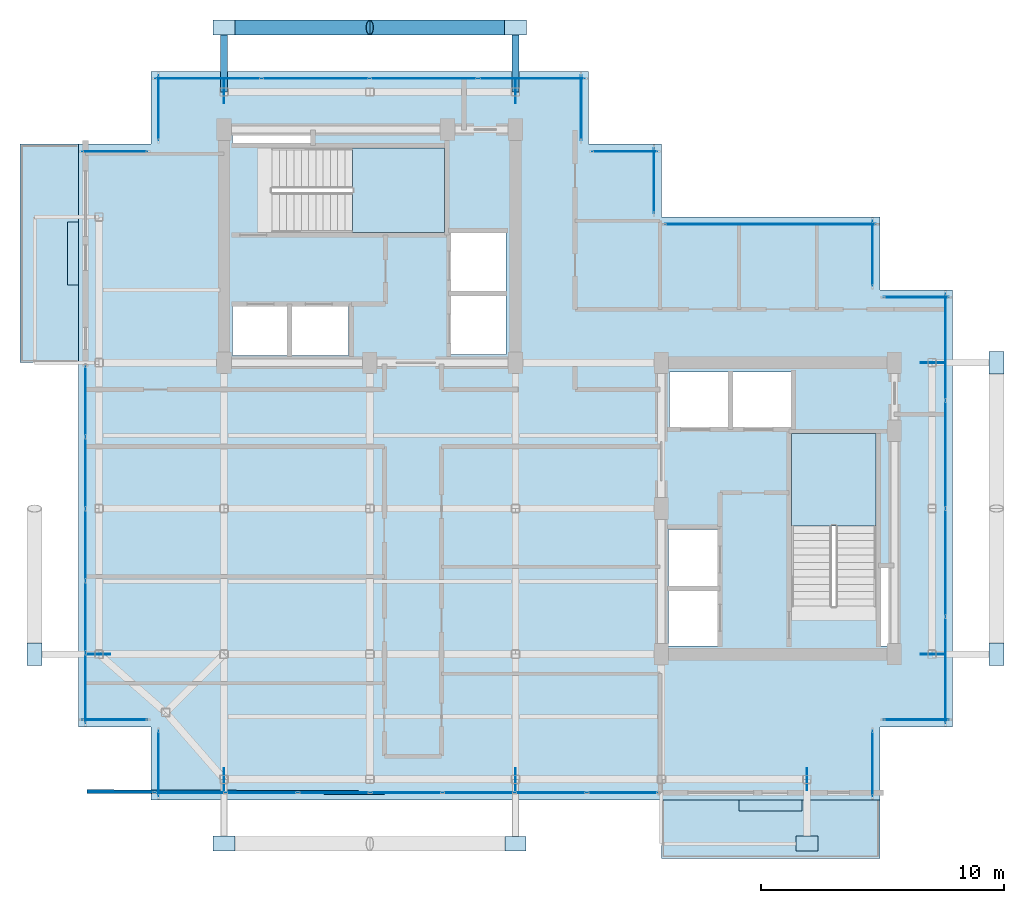
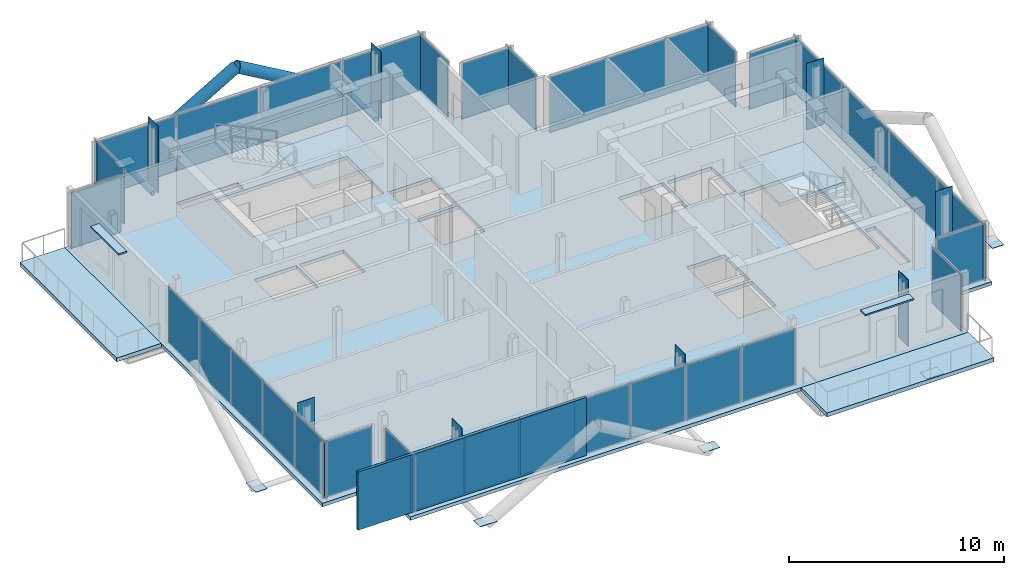
# One storey, part 14 of 19: 50 plates, 5 slabs, 4 members, 1 wall, 18 elements without a shape of their own.
"""IFC4 building model written with IfcOpenShell, lengths in metres."""

from ifc_helpers import new_model, si_unit, direction, frame, frame_2d, origin, origin_2d, place, context, subcontext, project, spatial, polyline, rectangle, hollow_circle, outline, extrude, material, layer, layer_set, material_profile, profile_set, type_object, element, aggregate, save


model = new_model("IFC4")

# Units and contexts
model_context = context("Model", 3, precision=1e-05, world=origin(), true_north=direction((0.0, 1.0)))
body_context = subcontext(model_context, "Body", "Model", "MODEL_VIEW")
ifc_project = project(units=[si_unit("LENGTHUNIT", "METRE"), si_unit("AREAUNIT", "SQUARE_METRE"), si_unit("VOLUMEUNIT", "CUBIC_METRE"), si_unit("PLANEANGLEUNIT", "RADIAN"), si_unit("MASSUNIT", "GRAM", prefix="KILO"), si_unit("THERMODYNAMICTEMPERATUREUNIT", "KELVIN"), si_unit("POWERUNIT", "WATT")], contexts=[model_context])

# Site, building, storey
site_placement = place(None, origin())
site = spatial("IfcSite", under=ifc_project, at=site_placement, CompositionType="ELEMENT")
building_placement = place(site_placement, origin())
building = spatial("IfcBuilding", under=site, at=building_placement, Name="Svarakhadi Broadcast Tower", CompositionType="ELEMENT")
storey_placement = place(building_placement, frame((0.0, 0.0, 271.199951171875)))
storey = spatial("IfcBuildingStorey", under=building, at=storey_placement, Name="L68", CompositionType="ELEMENT", Elevation=271.199951171875)

# Members
ifc_material_1 = material(Name="Steel S460ML (IS 2062 E450BR)", Category="steel")
ifc_material_profile_1 = material_profile(ifc_material_1, hollow_circle(Radius=0.304931640625, WallThickness=0.030029296875, at=origin_2d()), Name="CHS 610x30")
ifc_profile_set_1 = profile_set([ifc_material_profile_1], Name="Steel S460ML (IS 2062 E450BR)")
member_type_1 = type_object("IfcMemberType", Name="Exo_Brace_CHS610", PredefinedType="BRACE", material=ifc_profile_set_1)
for number, where, z_axis, x_axis, name in (
    (1, (6.0, 31.800048828125, -0.33642578125), (0.863778900898, 0.0, 0.503871025524), (0.0, 1.0, 0.0), "L68 Exposed Bronze Exoskeleton Diagonal N06"),
    (2, (18.0, 31.800048828125, -0.33642578125), (-0.863778900898, 0.0, 0.503871025524), (0.0, -1.0, 0.0), "L68 Exposed Bronze Exoskeleton Diagonal N07"),
):
    element("IfcMember", number, at=place(storey_placement, frame(where, z_axis=z_axis, x_axis=x_axis)), inside=storey, type_object=member_type_1, Name=name, PredefinedType="BRACE", context=body_context, shape_type="SweptSolid", body=[
        extrude(hollow_circle(Radius=0.304931640625, WallThickness=0.030029296875, at=origin_2d()), origin(), (0.0, 0.0, 1.0), 6.9462890625),
    ])
ifc_material_profile_2 = material_profile(ifc_material_1, hollow_circle(Radius=0.136474609375, WallThickness=0.012451171875, at=origin_2d()), Name="CHS 273x12.5")
ifc_profile_set_2 = profile_set([ifc_material_profile_2], Name="Steel S460ML (IS 2062 E450BR)")
member_type_2 = type_object("IfcMemberType", Name="Exo_Radial_Strut_Z3", PredefinedType="STRUT", material=ifc_profile_set_2)
for number, where, z_axis, x_axis, name in (
    (3, (6.0, 31.800048828125, -0.33642578125), (0.0, -1.0, 0.0), (1.0, 0.0, 0.0), "L68 Exoskeleton Radial Tie Strut N07"),
    (4, (18.0, 31.800048828125, -0.33642578125), (0.0, -1.0, 0.0), (1.0, 0.0, 0.0), "L68 Exoskeleton Radial Tie Strut N08"),
):
    element("IfcMember", number, at=place(storey_placement, frame(where, z_axis=z_axis, x_axis=x_axis)), inside=storey, type_object=member_type_2, Name=name, PredefinedType="STRUT", context=body_context, shape_type="SweptSolid", body=[
        extrude(hollow_circle(Radius=0.136474609375, WallThickness=0.012451171875, at=origin_2d()), origin(), (0.0, 0.0, 1.0), 2.650146484375),
    ])

# Curtain wall, plate
ifc_material_2 = material(Name="Anodised Bronze Aluminium AA 6063-T6", Category="aluminium")
ifc_layer_1 = layer(ifc_material_2, 0.179931640625)
ifc_layer_set_1 = layer_set([ifc_layer_1], Name="Anodised Bronze Aluminium AA 6063-T6")
curtain_wall_type = type_object("IfcCurtainWallType", Name="CW_Sys_05", PredefinedType="NOTDEFINED", material=ifc_layer_set_1)
curtain_wall_1_placement = place(storey_placement, origin())
curtain_wall_1 = element("IfcCurtainWall", 5, at=curtain_wall_1_placement, inside=storey, type_object=curtain_wall_type, Name="L68 Unitised Facade Curtain Wall 01", PredefinedType="NOTDEFINED")
ifc_material_3 = material(Name="Double Low-E Laminated Acoustic Glass IGU 36 mm", Category="glass")
ifc_layer_2 = layer(ifc_material_3, 0.033935546875)
ifc_layer_set_2 = layer_set([ifc_layer_2], Name="Double Low-E Laminated Acoustic Glass IGU 36 mm")
plate_type_1 = type_object("IfcPlateType", Name="CW_Sys_05_Pnl", PredefinedType="CURTAIN_PANEL", material=ifc_layer_set_2)
plate_1_placement = place(storey_placement, frame((1.5, 3.300048828125, 0.065185546875), z_axis=(0.0, 0.0, 1.0), x_axis=(-1.0, 0.0, 0.0)))
plate_1 = element("IfcPlate", 6, at=plate_1_placement, type_object=plate_type_1, Name="CW-05 panel 1.1", PredefinedType="CURTAIN_PANEL", context=body_context, shape_type="SweptSolid", body=[
    extrude(rectangle(XDim=2.679931640625, YDim=0.033935546875, at=origin_2d()), origin(), (0.0, 0.0, 1.0), 3.169921875),
])
aggregate(curtain_wall_1, [plate_1])

# Curtain wall, plates
curtain_wall_2_placement = place(storey_placement, origin())
curtain_wall_2 = element("IfcCurtainWall", 7, at=curtain_wall_2_placement, inside=storey, type_object=curtain_wall_type, Name="L68 West Curtain Wall 02", PredefinedType="NOTDEFINED")
plate_2_placement = place(storey_placement, frame((0.300048828125, 4.589599609375, 0.065185546875), z_axis=(0.0, 0.0, 1.0), x_axis=(0.0, 1.0, 0.0)))
plate_2 = element("IfcPlate", 8, at=plate_2_placement, type_object=plate_type_1, Name="CW-05 panel 1.1", PredefinedType="CURTAIN_PANEL", context=body_context, shape_type="SweptSolid", body=[
    extrude(rectangle(XDim=2.85888671875, YDim=0.033935546875, at=origin_2d()), origin(), (0.0, 0.0, 1.0), 3.169921875),
])
plate_3_placement = place(storey_placement, frame((0.300048828125, 7.535888671875, 0.065185546875), z_axis=(0.0, 0.0, 1.0), x_axis=(0.0, 1.0, 0.0)))
plate_3 = element("IfcPlate", 9, at=plate_3_placement, type_object=plate_type_1, Name="CW-05 panel 2.1", PredefinedType="CURTAIN_PANEL", context=body_context, shape_type="SweptSolid", body=[
    extrude(rectangle(XDim=2.89404296875, YDim=0.033935546875, at=origin_2d()), origin(), (0.0, 0.0, 1.0), 3.169921875),
])
plate_4_placement = place(storey_placement, frame((0.300048828125, 10.5, 0.065185546875), z_axis=(0.0, 0.0, 1.0), x_axis=(0.0, 1.0, 0.0)))
plate_4 = element("IfcPlate", 10, at=plate_4_placement, type_object=plate_type_1, Name="CW-05 panel 3.1", PredefinedType="CURTAIN_PANEL", context=body_context, shape_type="SweptSolid", body=[
    extrude(rectangle(XDim=2.89404296875, YDim=0.033935546875, at=origin_2d()), origin(), (0.0, 0.0, 1.0), 3.169921875),
])
plate_5_placement = place(storey_placement, frame((0.300048828125, 13.464111328125, 0.065185546875), z_axis=(0.0, 0.0, 1.0), x_axis=(0.0, 1.0, 0.0)))
plate_5 = element("IfcPlate", 11, at=plate_5_placement, type_object=plate_type_1, Name="CW-05 panel 4.1", PredefinedType="CURTAIN_PANEL", context=body_context, shape_type="SweptSolid", body=[
    extrude(rectangle(XDim=2.89404296875, YDim=0.033935546875, at=origin_2d()), origin(), (0.0, 0.0, 1.0), 3.169921875),
])
plate_6_placement = place(storey_placement, frame((0.300048828125, 16.410400390625, 0.065185546875), z_axis=(0.0, 0.0, 1.0), x_axis=(0.0, 1.0, 0.0)))
plate_6 = element("IfcPlate", 12, at=plate_6_placement, type_object=plate_type_1, Name="CW-05 panel 5.1", PredefinedType="CURTAIN_PANEL", context=body_context, shape_type="SweptSolid", body=[
    extrude(rectangle(XDim=2.85888671875, YDim=0.033935546875, at=origin_2d()), origin(), (0.0, 0.0, 1.0), 3.169921875),
])
aggregate(curtain_wall_2, [plate_2, plate_3, plate_4, plate_5, plate_6])

# Curtain wall, plate
curtain_wall_3_placement = place(storey_placement, origin())
curtain_wall_3 = element("IfcCurtainWall", 13, at=curtain_wall_3_placement, inside=storey, type_object=curtain_wall_type, Name="L68 Unitised Facade Curtain Wall 03", PredefinedType="NOTDEFINED")
plate_7_placement = place(storey_placement, frame((1.5, 26.699951171875, 0.065185546875), z_axis=(0.0, 0.0, 1.0), x_axis=(1.0, 0.0, 0.0)))
plate_7 = element("IfcPlate", 14, at=plate_7_placement, type_object=plate_type_1, Name="CW-05 panel 1.1", PredefinedType="CURTAIN_PANEL", context=body_context, shape_type="SweptSolid", body=[
    extrude(rectangle(XDim=2.679931640625, YDim=0.033935546875, at=origin_2d()), origin(), (0.0, 0.0, 1.0), 3.169921875),
])
aggregate(curtain_wall_3, [plate_7])

curtain_wall_4_placement = place(storey_placement, origin())
curtain_wall_4 = element("IfcCurtainWall", 15, at=curtain_wall_4_placement, inside=storey, type_object=curtain_wall_type, Name="L68 Unitised Facade Curtain Wall 04", PredefinedType="NOTDEFINED")
plate_8_placement = place(storey_placement, frame((3.300048828125, 28.5, 0.065185546875), z_axis=(0.0, 0.0, 1.0), x_axis=(0.0, 1.0, 0.0)))
plate_8 = element("IfcPlate", 16, at=plate_8_placement, type_object=plate_type_1, Name="CW-05 panel 1.1", PredefinedType="CURTAIN_PANEL", context=body_context, shape_type="SweptSolid", body=[
    extrude(rectangle(XDim=2.679931640625, YDim=0.033935546875, at=origin_2d()), origin(), (0.0, 0.0, 1.0), 3.169921875),
])
aggregate(curtain_wall_4, [plate_8])

# Curtain wall, plates
curtain_wall_5_placement = place(storey_placement, origin())
curtain_wall_5 = element("IfcCurtainWall", 17, at=curtain_wall_5_placement, inside=storey, type_object=curtain_wall_type, Name="L68 Unitised Facade Curtain Wall 05", PredefinedType="NOTDEFINED")
plate_9_placement = place(storey_placement, frame((5.3349609375, 29.699951171875, 0.065185546875), z_axis=(0.0, 0.0, 1.0), x_axis=(1.0, 0.0, 0.0)))
plate_9 = element("IfcPlate", 18, at=plate_9_placement, type_object=plate_type_1, Name="CW-05 panel 1.1", PredefinedType="CURTAIN_PANEL", context=body_context, shape_type="SweptSolid", body=[
    extrude(rectangle(XDim=4.35009765625, YDim=0.033935546875, at=origin_2d()), origin(), (0.0, 0.0, 1.0), 3.169921875),
])
plate_10_placement = place(storey_placement, frame((9.7724609375, 29.699951171875, 0.065185546875), z_axis=(0.0, 0.0, 1.0), x_axis=(1.0, 0.0, 0.0)))
plate_10 = element("IfcPlate", 19, at=plate_10_placement, type_object=plate_type_1, Name="CW-05 panel 2.1", PredefinedType="CURTAIN_PANEL", context=body_context, shape_type="SweptSolid", body=[
    extrude(rectangle(XDim=4.385009765625, YDim=0.033935546875, at=origin_2d()), origin(), (0.0, 0.0, 1.0), 3.169921875),
])
plate_11_placement = place(storey_placement, frame((14.2275390625, 29.699951171875, 0.065185546875), z_axis=(0.0, 0.0, 1.0), x_axis=(1.0, 0.0, 0.0)))
plate_11 = element("IfcPlate", 20, at=plate_11_placement, type_object=plate_type_1, Name="CW-05 panel 3.1", PredefinedType="CURTAIN_PANEL", context=body_context, shape_type="SweptSolid", body=[
    extrude(rectangle(XDim=4.385009765625, YDim=0.033935546875, at=origin_2d()), origin(), (0.0, 0.0, 1.0), 3.169921875),
])
plate_12_placement = place(storey_placement, frame((18.6650390625, 29.699951171875, 0.065185546875), z_axis=(0.0, 0.0, 1.0), x_axis=(1.0, 0.0, 0.0)))
plate_12 = element("IfcPlate", 21, at=plate_12_placement, type_object=plate_type_1, Name="CW-05 panel 4.1", PredefinedType="CURTAIN_PANEL", context=body_context, shape_type="SweptSolid", body=[
    extrude(rectangle(XDim=4.35009765625, YDim=0.033935546875, at=origin_2d()), origin(), (0.0, 0.0, 1.0), 3.169921875),
])
aggregate(curtain_wall_5, [plate_9, plate_10, plate_11, plate_12])

# Curtain wall, plate
curtain_wall_6_placement = place(storey_placement, origin())
curtain_wall_6 = element("IfcCurtainWall", 22, at=curtain_wall_6_placement, inside=storey, type_object=curtain_wall_type, Name="L68 Unitised Facade Curtain Wall 06", PredefinedType="NOTDEFINED")
plate_13_placement = place(storey_placement, frame((20.699951171875, 28.5, 0.065185546875), z_axis=(0.0, 0.0, 1.0), x_axis=(0.0, -1.0, 0.0)))
plate_13 = element("IfcPlate", 23, at=plate_13_placement, type_object=plate_type_1, Name="CW-05 panel 1.1", PredefinedType="CURTAIN_PANEL", context=body_context, shape_type="SweptSolid", body=[
    extrude(rectangle(XDim=2.679931640625, YDim=0.033935546875, at=origin_2d()), origin(), (0.0, 0.0, 1.0), 3.169921875),
])
aggregate(curtain_wall_6, [plate_13])

curtain_wall_7_placement = place(storey_placement, origin())
curtain_wall_7 = element("IfcCurtainWall", 24, at=curtain_wall_7_placement, inside=storey, type_object=curtain_wall_type, Name="L68 Unitised Facade Curtain Wall 07", PredefinedType="NOTDEFINED")
plate_14_placement = place(storey_placement, frame((22.5, 26.699951171875, 0.065185546875), z_axis=(0.0, 0.0, 1.0), x_axis=(1.0, 0.0, 0.0)))
plate_14 = element("IfcPlate", 25, at=plate_14_placement, type_object=plate_type_1, Name="CW-05 panel 1.1", PredefinedType="CURTAIN_PANEL", context=body_context, shape_type="SweptSolid", body=[
    extrude(rectangle(XDim=2.679931640625, YDim=0.033935546875, at=origin_2d()), origin(), (0.0, 0.0, 1.0), 3.169921875),
])
aggregate(curtain_wall_7, [plate_14])

curtain_wall_8_placement = place(storey_placement, origin())
curtain_wall_8 = element("IfcCurtainWall", 26, at=curtain_wall_8_placement, inside=storey, type_object=curtain_wall_type, Name="L68 Unitised Facade Curtain Wall 08", PredefinedType="NOTDEFINED")
plate_15_placement = place(storey_placement, frame((23.699951171875, 25.5, 0.065185546875), z_axis=(0.0, 0.0, 1.0), x_axis=(0.0, -1.0, 0.0)))
plate_15 = element("IfcPlate", 27, at=plate_15_placement, type_object=plate_type_1, Name="CW-05 panel 1.1", PredefinedType="CURTAIN_PANEL", context=body_context, shape_type="SweptSolid", body=[
    extrude(rectangle(XDim=2.679931640625, YDim=0.033935546875, at=origin_2d()), origin(), (0.0, 0.0, 1.0), 3.169921875),
])
aggregate(curtain_wall_8, [plate_15])

curtain_wall_9_placement = place(storey_placement, origin())
curtain_wall_9 = element("IfcCurtainWall", 28, at=curtain_wall_9_placement, inside=storey, type_object=curtain_wall_type, Name="L68 Unitised Facade Curtain Wall 09", PredefinedType="NOTDEFINED")
plate_16_placement = place(storey_placement, frame((28.5, 23.699951171875, 0.065185546875), z_axis=(0.0, 0.0, 1.0), x_axis=(1.0, 0.0, 0.0)))
plate_16 = element("IfcPlate", 29, at=plate_16_placement, type_object=plate_type_1, Name="CW-05 panel 1.1", PredefinedType="CURTAIN_PANEL", context=body_context, shape_type="SweptSolid", body=[
    extrude(rectangle(XDim=8.679931640625, YDim=0.033935546875, at=origin_2d()), origin(), (0.0, 0.0, 1.0), 3.169921875),
])
aggregate(curtain_wall_9, [plate_16])

curtain_wall_10_placement = place(storey_placement, origin())
curtain_wall_10 = element("IfcCurtainWall", 30, at=curtain_wall_10_placement, inside=storey, type_object=curtain_wall_type, Name="L68 Unitised Facade Curtain Wall 10", PredefinedType="NOTDEFINED")
plate_17_placement = place(storey_placement, frame((32.699951171875, 22.5, 0.065185546875), z_axis=(0.0, 0.0, 1.0), x_axis=(0.0, -1.0, 0.0)))
plate_17 = element("IfcPlate", 31, at=plate_17_placement, type_object=plate_type_1, Name="CW-05 panel 1.1", PredefinedType="CURTAIN_PANEL", context=body_context, shape_type="SweptSolid", body=[
    extrude(rectangle(XDim=2.679931640625, YDim=0.033935546875, at=origin_2d()), origin(), (0.0, 0.0, 1.0), 3.169921875),
])
aggregate(curtain_wall_10, [plate_17])

curtain_wall_11_placement = place(storey_placement, origin())
curtain_wall_11 = element("IfcCurtainWall", 32, at=curtain_wall_11_placement, inside=storey, type_object=curtain_wall_type, Name="L68 Unitised Facade Curtain Wall 11", PredefinedType="NOTDEFINED")
plate_18_placement = place(storey_placement, frame((34.5, 20.699951171875, 0.065185546875), z_axis=(0.0, 0.0, 1.0), x_axis=(1.0, 0.0, 0.0)))
plate_18 = element("IfcPlate", 33, at=plate_18_placement, type_object=plate_type_1, Name="CW-05 panel 1.1", PredefinedType="CURTAIN_PANEL", context=body_context, shape_type="SweptSolid", body=[
    extrude(rectangle(XDim=2.679931640625, YDim=0.033935546875, at=origin_2d()), origin(), (0.0, 0.0, 1.0), 3.169921875),
])
aggregate(curtain_wall_11, [plate_18])

# Curtain wall, plates
curtain_wall_12_placement = place(storey_placement, origin())
curtain_wall_12 = element("IfcCurtainWall", 34, at=curtain_wall_12_placement, inside=storey, type_object=curtain_wall_type, Name="L68 Unitised Facade Curtain Wall 12", PredefinedType="NOTDEFINED")
plate_19_placement = place(storey_placement, frame((35.699951171875, 18.6650390625, 0.065185546875), z_axis=(0.0, 0.0, 1.0), x_axis=(0.0, -1.0, 0.0)))
plate_19 = element("IfcPlate", 35, at=plate_19_placement, type_object=plate_type_1, Name="CW-05 panel 1.1", PredefinedType="CURTAIN_PANEL", context=body_context, shape_type="SweptSolid", body=[
    extrude(rectangle(XDim=4.35009765625, YDim=0.033935546875, at=origin_2d()), origin(), (0.0, 0.0, 1.0), 3.169921875),
])
plate_20_placement = place(storey_placement, frame((35.699951171875, 14.2275390625, 0.065185546875), z_axis=(0.0, 0.0, 1.0), x_axis=(0.0, -1.0, 0.0)))
plate_20 = element("IfcPlate", 36, at=plate_20_placement, type_object=plate_type_1, Name="CW-05 panel 2.1", PredefinedType="CURTAIN_PANEL", context=body_context, shape_type="SweptSolid", body=[
    extrude(rectangle(XDim=4.385009765625, YDim=0.033935546875, at=origin_2d()), origin(), (0.0, 0.0, 1.0), 3.169921875),
])
plate_21_placement = place(storey_placement, frame((35.699951171875, 9.7724609375, 0.065185546875), z_axis=(0.0, 0.0, 1.0), x_axis=(0.0, -1.0, 0.0)))
plate_21 = element("IfcPlate", 37, at=plate_21_placement, type_object=plate_type_1, Name="CW-05 panel 3.1", PredefinedType="CURTAIN_PANEL", context=body_context, shape_type="SweptSolid", body=[
    extrude(rectangle(XDim=4.385009765625, YDim=0.033935546875, at=origin_2d()), origin(), (0.0, 0.0, 1.0), 3.169921875),
])
plate_22_placement = place(storey_placement, frame((35.699951171875, 5.3349609375, 0.065185546875), z_axis=(0.0, 0.0, 1.0), x_axis=(0.0, -1.0, 0.0)))
plate_22 = element("IfcPlate", 38, at=plate_22_placement, type_object=plate_type_1, Name="CW-05 panel 4.1", PredefinedType="CURTAIN_PANEL", context=body_context, shape_type="SweptSolid", body=[
    extrude(rectangle(XDim=4.35009765625, YDim=0.033935546875, at=origin_2d()), origin(), (0.0, 0.0, 1.0), 3.169921875),
])
aggregate(curtain_wall_12, [plate_19, plate_20, plate_21, plate_22])

# Curtain wall, plate
curtain_wall_13_placement = place(storey_placement, origin())
curtain_wall_13 = element("IfcCurtainWall", 39, at=curtain_wall_13_placement, inside=storey, type_object=curtain_wall_type, Name="L68 Unitised Facade Curtain Wall 13", PredefinedType="NOTDEFINED")
plate_23_placement = place(storey_placement, frame((34.5, 3.300048828125, 0.065185546875), z_axis=(0.0, 0.0, 1.0), x_axis=(-1.0, 0.0, 0.0)))
plate_23 = element("IfcPlate", 40, at=plate_23_placement, type_object=plate_type_1, Name="CW-05 panel 1.1", PredefinedType="CURTAIN_PANEL", context=body_context, shape_type="SweptSolid", body=[
    extrude(rectangle(XDim=2.679931640625, YDim=0.033935546875, at=origin_2d()), origin(), (0.0, 0.0, 1.0), 3.169921875),
])
aggregate(curtain_wall_13, [plate_23])

curtain_wall_14_placement = place(storey_placement, origin())
curtain_wall_14 = element("IfcCurtainWall", 41, at=curtain_wall_14_placement, inside=storey, type_object=curtain_wall_type, Name="L68 Unitised Facade Curtain Wall 14", PredefinedType="NOTDEFINED")
plate_24_placement = place(storey_placement, frame((32.699951171875, 1.5, 0.065185546875), z_axis=(0.0, 0.0, 1.0), x_axis=(0.0, -1.0, 0.0)))
plate_24 = element("IfcPlate", 42, at=plate_24_placement, type_object=plate_type_1, Name="CW-05 panel 1.1", PredefinedType="CURTAIN_PANEL", context=body_context, shape_type="SweptSolid", body=[
    extrude(rectangle(XDim=2.679931640625, YDim=0.033935546875, at=origin_2d()), origin(), (0.0, 0.0, 1.0), 3.169921875),
])
aggregate(curtain_wall_14, [plate_24])

# Curtain wall, plates
curtain_wall_15_placement = place(storey_placement, origin())
curtain_wall_15 = element("IfcCurtainWall", 43, at=curtain_wall_15_placement, inside=storey, type_object=curtain_wall_type, Name="L68 South Curtain Wall 15", PredefinedType="NOTDEFINED")
plate_25_placement = place(storey_placement, frame((22.4052734375, 0.300048828125, 0.065185546875), z_axis=(0.0, 0.0, 1.0), x_axis=(-1.0, 0.0, 0.0)))
plate_25 = element("IfcPlate", 44, at=plate_25_placement, type_object=plate_type_1, Name="CW-05 panel 1.1", PredefinedType="CURTAIN_PANEL", context=body_context, shape_type="SweptSolid", body=[
    extrude(rectangle(XDim=2.869384765625, YDim=0.033935546875, at=origin_2d()), origin(), (0.0, 0.0, 1.0), 3.169921875),
])
plate_26_placement = place(storey_placement, frame((19.448486328125, 0.300048828125, 0.065185546875), z_axis=(0.0, 0.0, 1.0), x_axis=(-1.0, 0.0, 0.0)))
plate_26 = element("IfcPlate", 45, at=plate_26_placement, type_object=plate_type_1, Name="CW-05 panel 2.1", PredefinedType="CURTAIN_PANEL", context=body_context, shape_type="SweptSolid", body=[
    extrude(rectangle(XDim=2.904296875, YDim=0.033935546875, at=origin_2d()), origin(), (0.0, 0.0, 1.0), 3.169921875),
])
plate_27_placement = place(storey_placement, frame((16.474365234375, 0.300048828125, 0.065185546875), z_axis=(0.0, 0.0, 1.0), x_axis=(-1.0, 0.0, 0.0)))
plate_27 = element("IfcPlate", 46, at=plate_27_placement, type_object=plate_type_1, Name="CW-05 panel 3.1", PredefinedType="CURTAIN_PANEL", context=body_context, shape_type="SweptSolid", body=[
    extrude(rectangle(XDim=2.904296875, YDim=0.033935546875, at=origin_2d()), origin(), (0.0, 0.0, 1.0), 3.169921875),
])
plate_28_placement = place(storey_placement, frame((13.5, 0.300048828125, 0.065185546875), z_axis=(0.0, 0.0, 1.0), x_axis=(-1.0, 0.0, 0.0)))
plate_28 = element("IfcPlate", 47, at=plate_28_placement, type_object=plate_type_1, Name="CW-05 panel 4.1", PredefinedType="CURTAIN_PANEL", context=body_context, shape_type="SweptSolid", body=[
    extrude(rectangle(XDim=2.904296875, YDim=0.033935546875, at=origin_2d()), origin(), (0.0, 0.0, 1.0), 3.169921875),
])
plate_29_placement = place(storey_placement, frame((10.525634765625, 0.300048828125, 0.065185546875), z_axis=(0.0, 0.0, 1.0), x_axis=(-1.0, 0.0, 0.0)))
plate_29 = element("IfcPlate", 48, at=plate_29_placement, type_object=plate_type_1, Name="CW-05 panel 5.1", PredefinedType="CURTAIN_PANEL", context=body_context, shape_type="SweptSolid", body=[
    extrude(rectangle(XDim=2.904296875, YDim=0.033935546875, at=origin_2d()), origin(), (0.0, 0.0, 1.0), 3.169921875),
])
plate_30_placement = place(storey_placement, frame((7.551513671875, 0.300048828125, 0.065185546875), z_axis=(0.0, 0.0, 1.0), x_axis=(-1.0, 0.0, 0.0)))
plate_30 = element("IfcPlate", 49, at=plate_30_placement, type_object=plate_type_1, Name="CW-05 panel 6.1", PredefinedType="CURTAIN_PANEL", context=body_context, shape_type="SweptSolid", body=[
    extrude(rectangle(XDim=2.904296875, YDim=0.033935546875, at=origin_2d()), origin(), (0.0, 0.0, 1.0), 3.169921875),
])
plate_31_placement = place(storey_placement, frame((4.5947265625, 0.300048828125, 0.065185546875), z_axis=(0.0, 0.0, 1.0), x_axis=(-1.0, 0.0, 0.0)))
plate_31 = element("IfcPlate", 50, at=plate_31_placement, type_object=plate_type_1, Name="CW-05 panel 7.1", PredefinedType="CURTAIN_PANEL", context=body_context, shape_type="SweptSolid", body=[
    extrude(rectangle(XDim=2.869384765625, YDim=0.033935546875, at=origin_2d()), origin(), (0.0, 0.0, 1.0), 3.169921875),
])
aggregate(curtain_wall_15, [plate_25, plate_26, plate_27, plate_28, plate_29, plate_30, plate_31])

# Curtain wall, plate
curtain_wall_16_placement = place(storey_placement, origin())
curtain_wall_16 = element("IfcCurtainWall", 51, at=curtain_wall_16_placement, inside=storey, type_object=curtain_wall_type, Name="L68 Unitised Facade Curtain Wall 16", PredefinedType="NOTDEFINED")
plate_32_placement = place(storey_placement, frame((3.300048828125, 1.5, 0.065185546875), z_axis=(0.0, 0.0, 1.0), x_axis=(0.0, 1.0, 0.0)))
plate_32 = element("IfcPlate", 52, at=plate_32_placement, type_object=plate_type_1, Name="CW-05 panel 1.1", PredefinedType="CURTAIN_PANEL", context=body_context, shape_type="SweptSolid", body=[
    extrude(rectangle(XDim=2.679931640625, YDim=0.033935546875, at=origin_2d()), origin(), (0.0, 0.0, 1.0), 3.169921875),
])
aggregate(curtain_wall_16, [plate_32])

# Plates
ifc_layer_3 = layer(ifc_material_1, 0.02490234375)
ifc_layer_set_3 = layer_set([ifc_layer_3], Name="Steel S460ML (IS 2062 E450BR)")
plate_type_2 = type_object("IfcPlateType", Name="Node_Gusset_N05", PredefinedType="SHEET", material=ifc_layer_set_3)
plate_33_placement = place(storey_placement, frame((18.0, -1.800048828125, -0.199951171875), z_axis=(0.0, 0.0, 1.0), x_axis=(1.0, 0.0, 0.0)))
element("IfcPlate", 53, at=plate_33_placement, inside=storey, type_object=plate_type_2, Name="L68 Exoskeleton Gusset Node Plate S02", PredefinedType="SHEET", context=body_context, shape_type="SweptSolid", body=[
    extrude(rectangle(XDim=0.8798828125, YDim=0.60009765625, at=origin_2d()), origin(), (0.0, 0.0, 1.0), 0.02490234375),
])
ifc_layer_4 = layer(ifc_material_1, 0.02587890625)
ifc_layer_set_4 = layer_set([ifc_layer_4], Name="Steel S460ML (IS 2062 E450BR)")
plate_type_3 = type_object("IfcPlateType", Name="Node_Gusset_N07", PredefinedType="SHEET", material=ifc_layer_set_4)
for number, where, z_axis, x_axis, name in (
    (54, (6.0, -1.800048828125, -0.199951171875), (0.0, 0.0, 1.0), (1.0, 0.0, 0.0), "L68 Exoskeleton Gusset Node Plate S01"),
    (55, (30.0, -1.800048828125, -0.199951171875), (0.0, 0.0, 1.0), (1.0, 0.0, 0.0), "L68 Exoskeleton Gusset Node Plate S03"),
    (56, (-1.800048828125, 6.0, -0.199951171875), (0.0, 0.0, 1.0), (0.0, 1.0, 0.0), "L68 Exoskeleton Gusset Node Plate W04"),
    (57, (37.800048828125, 6.0, -0.199951171875), (0.0, 0.0, 1.0), (0.0, 1.0, 0.0), "L68 Exoskeleton Gusset Node Plate E05"),
    (58, (37.800048828125, 18.0, -0.199951171875), (0.0, 0.0, 1.0), (0.0, 1.0, 0.0), "L68 Exoskeleton Gusset Node Plate E06"),
    (59, (6.0, 31.800048828125, -0.199951171875), (0.0, 0.0, 1.0), (1.0, 0.0, 0.0), "L68 Exoskeleton Gusset Node Plate N07"),
    (60, (18.0, 31.800048828125, -0.199951171875), (0.0, 0.0, 1.0), (1.0, 0.0, 0.0), "L68 Exoskeleton Gusset Node Plate N08"),
):
    element("IfcPlate", number, at=place(storey_placement, frame(where, z_axis=z_axis, x_axis=x_axis)), inside=storey, type_object=plate_type_3, Name=name, PredefinedType="SHEET", context=body_context, shape_type="SweptSolid", body=[
        extrude(rectangle(XDim=0.919921875, YDim=0.6201171875, at=origin_2d()), origin(), (0.0, 0.0, 1.0), 0.02587890625),
    ])
for number, where, z_axis, x_axis, name in (
    (61, (6.0, 0.85009765625, -0.53662109375), (0.0, 0.0, 1.0), (0.0, 1.0, 0.0), "L68 Brace End Connection Gusset Plate N-07-E0535"),
    (62, (18.0, 0.85009765625, -0.53662109375), (0.0, 0.0, 1.0), (0.0, 1.0, 0.0), "L68 Brace End Connection Gusset Plate N-07-E0536"),
    (63, (30.0, 0.85009765625, -0.53662109375), (0.0, 0.0, 1.0), (0.0, 1.0, 0.0), "L68 Brace End Connection Gusset Plate N-07-E0537"),
    (64, (0.85009765625, 6.0, -0.53662109375), (0.0, 0.0, 1.0), (1.0, 0.0, 0.0), "L68 Brace End Connection Gusset Plate N-07-E0538"),
    (65, (35.14990234375, 6.0, -0.53662109375), (0.0, 0.0, 1.0), (1.0, 0.0, 0.0), "L68 Brace End Connection Gusset Plate N-07-E0539"),
    (66, (35.14990234375, 18.0, -0.53662109375), (0.0, 0.0, 1.0), (1.0, 0.0, 0.0), "L68 Brace End Connection Gusset Plate N-07-E0540"),
    (67, (6.0, 29.14990234375, -0.53662109375), (0.0, 0.0, 1.0), (0.0, 1.0, 0.0), "L68 Brace End Connection Gusset Plate N-07-E0541"),
    (68, (18.0, 29.14990234375, -0.53662109375), (0.0, 0.0, 1.0), (0.0, 1.0, 0.0), "L68 Brace End Connection Gusset Plate N-07-E0542"),
):
    element("IfcPlate", number, at=place(storey_placement, frame(where, z_axis=z_axis, x_axis=x_axis)), inside=storey, type_object=plate_type_3, Name=name, PredefinedType="SHEET", context=body_context, shape_type="SweptSolid", body=[
        extrude(rectangle(XDim=0.919921875, YDim=0.02587890625, at=origin_2d()), origin(), (0.0, 0.0, 1.0), 4.300048828125),
    ])

# Slab
ifc_material_4 = material(Name="Concrete C40/50 (IS 456 M50)", Category="concrete")
ifc_layer_5 = layer(ifc_material_4, 0.199951171875)
ifc_layer_set_5 = layer_set([ifc_layer_5], Name="Concrete C40/50 (IS 456 M50)")
slab_type_1 = type_object("IfcSlabType", Name="Slab_Floor_200", PredefinedType="FLOOR", material=ifc_layer_set_5)
slab_1_placement = place(storey_placement, frame((0.0, 0.0, -0.199951171875)))
element("IfcSlab", 69, at=slab_1_placement, inside=storey, type_object=slab_type_1, Name="L68 Structural Floor Slab", PredefinedType="FLOOR", context=body_context, shape_type="SweptSolid", body=[
    extrude(outline(polyline([(3.0, 0.0), (33.0, 0.0), (33.0, 3.0), (36.0, 3.0), (36.0, 21.0), (33.0, 21.0), (33.0, 24.0), (24.0, 24.0), (24.0, 27.0), (21.0, 27.0), (21.0, 30.0), (3.0, 30.0), (3.0, 27.0), (0.0, 27.0), (0.0, 3.0), (3.0, 3.0), (3.0, 0.0)]), holes=[polyline([(7.97998046875, 23.360107421875), (15.080078125, 23.360107421875), (15.080078125, 26.840087890625), (7.97998046875, 26.840087890625), (7.97998046875, 23.360107421875)]), polyline([(32.840087890625, 7.97998046875), (32.840087890625, 15.080078125), (29.360107421875, 15.080078125), (29.360107421875, 7.97998046875), (32.840087890625, 7.97998046875)]), polyline([(6.340087890625, 18.2900390625), (8.610107421875, 18.2900390625), (8.610107421875, 20.330078125), (6.340087890625, 20.330078125), (6.340087890625, 18.2900390625)]), polyline([(8.7900390625, 18.2900390625), (11.1298828125, 18.2900390625), (11.1298828125, 20.330078125), (8.7900390625, 20.330078125), (8.7900390625, 18.2900390625)]), polyline([(24.2900390625, 6.340087890625), (26.330078125, 6.340087890625), (26.330078125, 8.610107421875), (24.2900390625, 8.610107421875), (24.2900390625, 6.340087890625)]), polyline([(24.2900390625, 8.7900390625), (26.330078125, 8.7900390625), (26.330078125, 11.1298828125), (24.2900390625, 11.1298828125), (24.2900390625, 8.7900390625)]), polyline([(6.340087890625, 26.989990234375), (9.610107421875, 26.989990234375), (9.610107421875, 27.530029296875), (6.340087890625, 27.530029296875), (6.340087890625, 26.989990234375)]), polyline([(32.989990234375, 6.340087890625), (33.530029296875, 6.340087890625), (33.530029296875, 9.610107421875), (32.989990234375, 9.610107421875), (32.989990234375, 6.340087890625)]), polyline([(15.340087890625, 18.340087890625), (17.610107421875, 18.340087890625), (17.610107421875, 20.760009765625), (15.340087890625, 20.760009765625), (15.340087890625, 18.340087890625)]), polyline([(15.340087890625, 20.93994140625), (17.610107421875, 20.93994140625), (17.610107421875, 23.360107421875), (15.340087890625, 23.360107421875), (15.340087890625, 20.93994140625)]), polyline([(24.340087890625, 15.340087890625), (26.760009765625, 15.340087890625), (26.760009765625, 17.610107421875), (24.340087890625, 17.610107421875), (24.340087890625, 15.340087890625)]), polyline([(26.93994140625, 15.340087890625), (29.360107421875, 15.340087890625), (29.360107421875, 17.610107421875), (26.93994140625, 17.610107421875), (26.93994140625, 15.340087890625)])]), origin(), (0.0, 0.0, 1.0), 0.199951171875),
])

# Stair, slab
stair_type = type_object("IfcStairType", Name="Stair_Exit_Core", PredefinedType="HALF_TURN_STAIR", material=ifc_material_4)
stair_1_placement = place(storey_placement, origin())
stair_1 = element("IfcStair", 70, at=stair_1_placement, inside=storey, type_object=stair_type, Name="L68 West Core Protected Exit Stair ST-01", PredefinedType="HALF_TURN_STAIR")
ifc_layer_6 = layer(ifc_material_4, 0.199951171875)
ifc_layer_set_6 = layer_set([ifc_layer_6], Name="Concrete C40/50 (IS 456 M50)")
slab_type_2 = type_object("IfcSlabType", Name="Slab_Stair_Land", PredefinedType="LANDING", material=ifc_layer_set_6)
slab_2_placement = place(storey_placement, frame((0.0, 0.0, 1.550048828125)))
slab_2 = element("IfcSlab", 71, at=slab_2_placement, type_object=slab_type_2, Name="ST-01 landing 1", PredefinedType="LANDING", context=body_context, shape_type="SweptSolid", body=[
    extrude(outline(polyline([(11.280029296875, 23.360107421875), (15.080078125, 23.360107421875), (15.080078125, 26.840087890625), (11.280029296875, 26.840087890625), (11.280029296875, 23.360107421875)])), origin(), (0.0, 0.0, 1.0), 0.199951171875),
])
aggregate(stair_1, [slab_2])

stair_2_placement = place(storey_placement, origin())
stair_2 = element("IfcStair", 72, at=stair_2_placement, inside=storey, type_object=stair_type, Name="L68 East Core Protected Exit Stair ST-02", PredefinedType="HALF_TURN_STAIR")
slab_3_placement = place(storey_placement, frame((0.0, 0.0, 1.550048828125)))
slab_3 = element("IfcSlab", 73, at=slab_3_placement, type_object=slab_type_2, Name="ST-02 landing 1", PredefinedType="LANDING", context=body_context, shape_type="SweptSolid", body=[
    extrude(outline(polyline([(32.840087890625, 11.280029296875), (32.840087890625, 15.080078125), (29.360107421875, 15.080078125), (29.360107421875, 11.280029296875), (32.840087890625, 11.280029296875)])), origin(), (0.0, 0.0, 1.0), 0.199951171875),
])
aggregate(stair_2, [slab_3])

# Slabs
ifc_layer_7 = layer(ifc_material_4, 0.22509765625)
ifc_layer_set_7 = layer_set([ifc_layer_7], Name="Concrete C40/50 (IS 456 M50)")
slab_type_3 = type_object("IfcSlabType", Name="Slab_TreeBalcony", PredefinedType="FLOOR", material=ifc_layer_set_7)
slab_4_placement = place(storey_placement, frame((0.0, 0.0, -0.224853515625)))
element("IfcSlab", 74, at=slab_4_placement, inside=storey, type_object=slab_type_3, Name="L68 Planted Tree Balcony Slab BAL-E", PredefinedType="FLOOR", context=body_context, shape_type="SweptSolid", body=[
    extrude(outline(polyline([(24.0, -2.39990234375), (33.0, -2.39990234375), (33.0, 0.0), (24.0, 0.0), (24.0, -2.39990234375)])), origin(), (0.0, 0.0, 1.0), 0.224853515625),
])
slab_5_placement = place(storey_placement, frame((0.0, 0.0, -0.224853515625)))
element("IfcSlab", 75, at=slab_5_placement, inside=storey, type_object=slab_type_3, Name="L68 Planted Tree Balcony Slab BAL-N", PredefinedType="FLOOR", context=body_context, shape_type="SweptSolid", body=[
    extrude(outline(polyline([(-2.39990234375, 18.0), (0.0, 18.0), (0.0, 27.0), (-2.39990234375, 27.0), (-2.39990234375, 18.0)])), origin(), (0.0, 0.0, 1.0), 0.224853515625),
])

# Plates
ifc_layer_8 = layer(ifc_material_2, 0.080078125)
ifc_layer_set_8 = layer_set([ifc_layer_8], Name="Anodised Bronze Aluminium AA 6063-T6")
plate_type_4 = type_object("IfcPlateType", Name="Sunshade_Fin_SS01", PredefinedType="USERDEFINED", material=ifc_layer_set_8)
for number, where, z_axis, x_axis, name in (
    (76, (28.5, -0.22509765625, 3.219970703125), (0.0, 0.0, 1.0), (1.0, 0.0, 0.0), "L68 South Bronze Brise-Soleil Sunshade SS-01"),
    (77, (-0.22509765625, 22.5, 3.219970703125), (0.0, 0.0, 1.0), (0.0, 1.0, 0.0), "L68 West Bronze Brise-Soleil Sunshade SS-01"),
):
    element("IfcPlate", number, at=place(storey_placement, frame(where, z_axis=z_axis, x_axis=x_axis)), inside=storey, type_object=plate_type_4, Name=name, ObjectType="SUNSHADE", PredefinedType="USERDEFINED", context=body_context, shape_type="SweptSolid", body=[
        extrude(rectangle(XDim=2.60009765625, YDim=0.449951171875, at=origin_2d()), origin(), (0.0, 0.0, 1.0), 0.080078125),
    ])

# Wall
ifc_material_5 = material(Name="Autoclaved Aerated Concrete Blockwork 150 mm", Category="masonry")
ifc_layer_9 = layer(ifc_material_5, 0.14990234375)
ifc_layer_set_9 = layer_set([ifc_layer_9], Name="Autoclaved Aerated Concrete Blockwork 150 mm")
wall_type = type_object("IfcWallType", Name="Wall_Part_150", PredefinedType="PARTITIONING", material=ifc_layer_set_9)
wall_placement = place(storey_placement, frame((0.35009765625, 0.35009765625, 0.0), z_axis=(0.0, 0.0, 1.0), x_axis=(0.999991653965, -0.004085584524, 0.0)))
element("IfcWall", 78, at=wall_placement, inside=storey, type_object=wall_type, Name="L68 Sky Conservatory Music Recital Salon Wall", PredefinedType="PARTITIONING", context=body_context, shape_type="SweptSolid", body=[
    extrude(rectangle(XDim=12.25, YDim=0.14990234375, at=frame_2d((6.125, 0.0))), origin(), (0.0, 0.0, 1.0), 3.300048828125),
])

save(model, "model.ifc")
